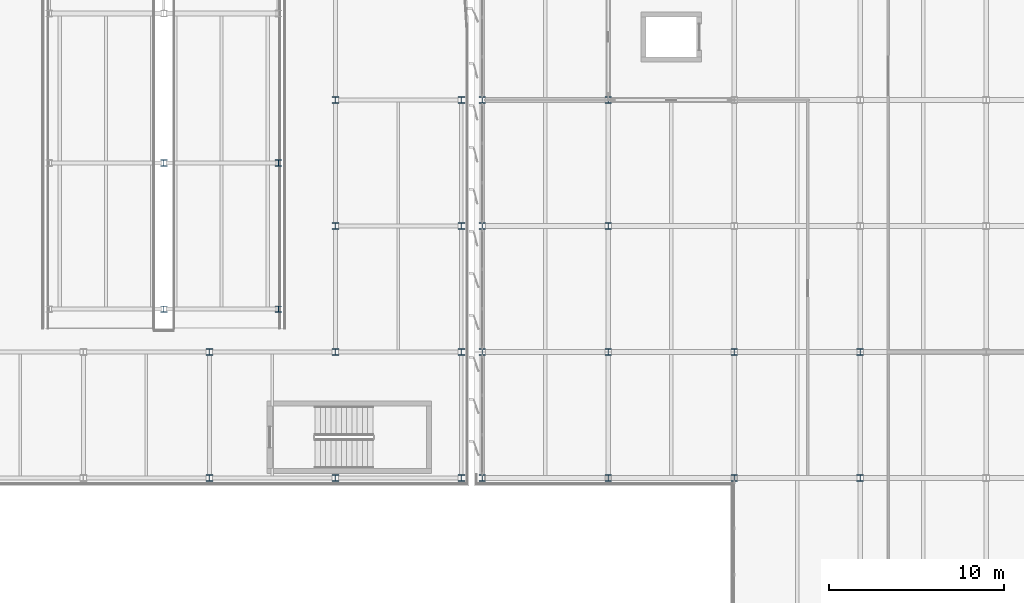
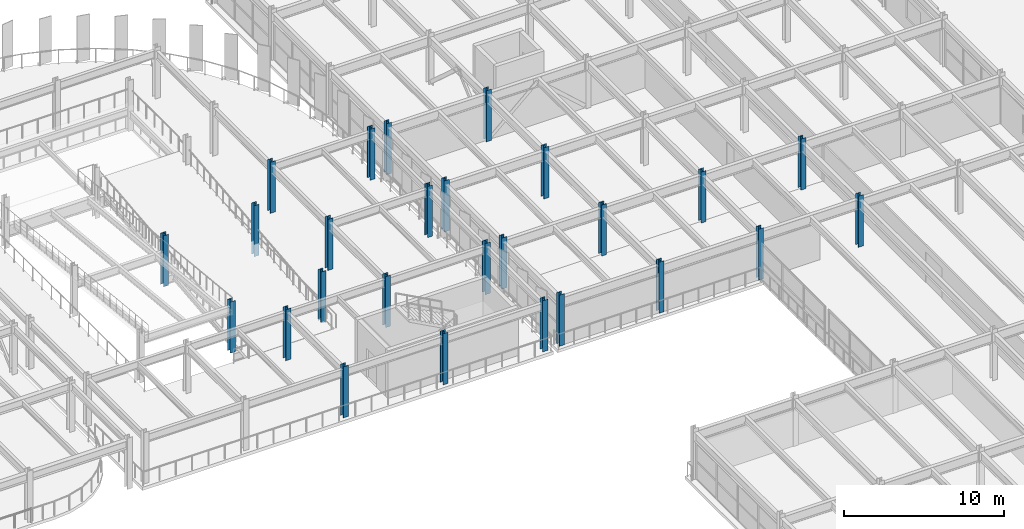
# One storey, part 12 of 80: 26 columns.
"""IFC4 building model written with IfcOpenShell, lengths in metres."""

import ifcopenshell
import ifcopenshell.guid

model = None  # the IFC model being written
_history = None  # IfcOwnerHistory: only IFC2X3 demands one
_inside = {}  # id of a spatial element -> (the spatial element, [elements in it])
_under = {}  # id of a project, library or spatial element -> (it, [spatial elements below it])
_declared = {}  # id of a project -> (the project, [libraries it declares])
_typed = {}  # id of a type object -> (the type object, [elements of that type])
_made_of = {}  # id of a material, layer set ... -> (it, [elements and type objects made of it])


def new_model(schema):
    """Start an empty IFC model of exactly this schema.

    Asked for "IFC4X3", IfcOpenShell would pick the latest addendum, in which some entities
    have other attributes; the version numbers below select the first issue.
    IFC2X3 requires an IfcOwnerHistory on every rooted entity: one is made here for all.
    """
    global model, _history
    if schema == "IFC4X3":
        model = ifcopenshell.file(schema_version=(4, 3, 0, 0))
    else:
        model = ifcopenshell.file(schema=schema)
    _inside.clear()
    _under.clear()
    _declared.clear()
    _typed.clear()
    _made_of.clear()
    _history = None
    if model.schema == "IFC2X3":
        org = make("IfcOrganization", Name="unknown")
        user = make(
            "IfcPersonAndOrganization",
            ThePerson=make("IfcPerson", FamilyName="unknown"),
            TheOrganization=org,
        )
        app = make(
            "IfcApplication",
            ApplicationDeveloper=org,
            Version="unknown",
            ApplicationFullName="unknown",
            ApplicationIdentifier="unknown",
        )
        _history = make(
            "IfcOwnerHistory",
            OwningUser=user,
            OwningApplication=app,
            ChangeAction="ADDED",
            CreationDate=0,
        )
    return model


def make(cls, **values):
    """One entity of the class cls with the attributes given. An attribute that is None is left unset."""
    return model.create_entity(
        cls, **{name: value for name, value in values.items() if value is not None}
    )


def rooted(cls, **values):
    """An entity with a GlobalId (a new one), such as an element, a storey or a relation."""
    return make(cls, GlobalId=ifcopenshell.guid.new(), OwnerHistory=_history, **values)


def si_unit(unit_type, name, prefix=None):
    """IfcSIUnit, for example si_unit("LENGTHUNIT", "METRE", prefix="MILLI")."""
    return make("IfcSIUnit", UnitType=unit_type, Prefix=prefix, Name=name)


def assignment(units):
    """IfcUnitAssignment: the units of a project."""
    return None if units is None else make("IfcUnitAssignment", Units=units)


def point(xyz):
    """IfcCartesianPoint."""
    return None if xyz is None else make("IfcCartesianPoint", Coordinates=xyz)


def direction(xyz):
    """IfcDirection."""
    return None if xyz is None else make("IfcDirection", DirectionRatios=xyz)


def frame(location, z_axis=None, x_axis=None):
    """IfcAxis2Placement3D, a coordinate frame: its origin and axes. An axis left out is left unset."""
    return make(
        "IfcAxis2Placement3D",
        Location=point(location),
        Axis=direction(z_axis),
        RefDirection=direction(x_axis),
    )


def frame_2d(location, x_axis=None):
    """IfcAxis2Placement2D, a coordinate frame in the plane: its origin and x axis."""
    return make(
        "IfcAxis2Placement2D", Location=point(location), RefDirection=direction(x_axis)
    )


def origin():
    """The frame at (0, 0, 0) with its axes left unset."""
    return frame((0.0, 0.0, 0.0))


def origin_2d():
    """The frame at (0, 0) in the plane with its x axis left unset."""
    return frame_2d((0.0, 0.0))


def place(relative_to, where):
    """IfcLocalPlacement: puts the frame where relative to a parent placement (None: the world)."""
    return make(
        "IfcLocalPlacement", PlacementRelTo=relative_to, RelativePlacement=where
    )


def context(
    kind, dimensions, precision=None, world=None, true_north=None, identifier=None
):
    """IfcGeometricRepresentationContext, for example the 3D "Model" context."""
    return make(
        "IfcGeometricRepresentationContext",
        ContextIdentifier=identifier,
        ContextType=kind,
        CoordinateSpaceDimension=dimensions,
        Precision=precision,
        WorldCoordinateSystem=world,
        TrueNorth=true_north,
    )


def subcontext(parent, identifier, kind, view, scale=None):
    """IfcGeometricRepresentationSubContext, for example "Body" below "Model"."""
    return make(
        "IfcGeometricRepresentationSubContext",
        ContextIdentifier=identifier,
        ContextType=kind,
        ParentContext=parent,
        TargetScale=scale,
        TargetView=view,
    )


def project(units=None, contexts=None):
    """IfcProject with its units and contexts."""
    return rooted(
        "IfcProject",
        Name="project",
        RepresentationContexts=contexts,
        UnitsInContext=assignment(units),
    )


def spatial(cls, under=None, at=None, **own):
    """A site, building, storey or space (cls), placed at a placement, below another one or the project."""
    s = rooted(cls, ObjectPlacement=at, **own)
    if under is not None:
        _under.setdefault(under.id(), (under, []))[1].append(s)
    return s


def profile(cls, at=None, kind="AREA", **sizes):
    """A parametric profile (cls). Its sizes go by their IFC names, for example OverallWidth=200.0."""
    return make(cls, ProfileType=kind, Position=at, **sizes)


def i_section(**sizes):
    """IfcIShapeProfileDef."""
    return profile("IfcIShapeProfileDef", **sizes)


def extrude(swept, where, along, depth):
    """IfcExtrudedAreaSolid: the profile swept, set in the frame where, extruded along a direction by depth."""
    return make(
        "IfcExtrudedAreaSolid",
        SweptArea=swept,
        Position=where,
        ExtrudedDirection=direction(along),
        Depth=depth,
    )


def shape(context_of_items, identifier, shape_type, items):
    """IfcShapeRepresentation: the items that make up one representation, for example the "Body"."""
    return make(
        "IfcShapeRepresentation",
        ContextOfItems=context_of_items,
        RepresentationIdentifier=identifier,
        RepresentationType=shape_type,
        Items=items,
    )


def material(Name=None, Category=None):
    """IfcMaterial."""
    return make("IfcMaterial", Name=Name, Category=Category)


def material_profile(
    of_material, cross_section, Name=None, Category=None, Priority=None
):
    """IfcMaterialProfile: a cross section and its material."""
    return make(
        "IfcMaterialProfile",
        Name=Name,
        Material=of_material,
        Profile=cross_section,
        Priority=Priority,
        Category=Category,
    )


def profile_set(profiles, Name=None, composite=None):
    """IfcMaterialProfileSet."""
    return make(
        "IfcMaterialProfileSet",
        Name=Name,
        MaterialProfiles=profiles,
        CompositeProfile=composite,
    )


def made_of(thing, what):
    """Note that an element or type object is made of a material, layer set ...; save() writes the relation."""
    if what is not None:
        _made_of.setdefault(what.id(), (what, []))[1].append(thing)
    return thing


def type_object(cls, material=None, **own):
    """A type object (cls), such as IfcWallType, which elements share."""
    return made_of(rooted(cls, **own), material)


def element(
    cls,
    number,
    at=None,
    inside=None,
    cuts=None,
    type_object=None,
    material=None,
    context=None,
    identifier="Body",
    shape_type=None,
    held_by="IfcProductDefinitionShape",
    body=None,
    shapes=None,
    **own,
):
    """One element of the class cls, such as IfcWall. Its Tag is "e" and its number.

    at: its placement. inside: the storey or other place that contains it. cuts: it is an
    opening in that element (IfcRelVoidsElement). A single representation is given by context,
    identifier, shape_type and body (its items); several are given by shapes. held_by: the class
    of the entity that holds the representations. save() writes the other relations.
    """
    e = rooted(cls, Tag="e%d" % number, ObjectPlacement=at, **own)
    if body is not None:
        shapes = [shape(context, identifier, shape_type, body)]
    if shapes is not None:
        e.Representation = make(held_by, Representations=shapes)
    if inside is not None:
        _inside.setdefault(inside.id(), (inside, []))[1].append(e)
    if cuts is not None:
        rooted(
            "IfcRelVoidsElement", RelatingBuildingElement=cuts, RelatedOpeningElement=e
        )
    if type_object is not None:
        _typed.setdefault(type_object.id(), (type_object, []))[1].append(e)
    return made_of(e, material)


def aggregate(whole, parts):
    """IfcRelAggregates: a whole, such as a stair, and the parts it consists of."""
    return rooted("IfcRelAggregates", RelatingObject=whole, RelatedObjects=parts)


def save(model, path):
    """Write the relations noted so far, then the file.

    IfcRelAggregates (storeys below a building ...), IfcRelContainedInSpatialStructure (elements
    in a storey), IfcRelDefinesByType, IfcRelAssociatesMaterial and IfcRelDeclares: one each for
    every whole, place, type object, material and project.
    """
    for whole, parts in _under.values():
        aggregate(whole, parts)
    for where, things in _inside.values():
        rooted(
            "IfcRelContainedInSpatialStructure",
            RelatedElements=things,
            RelatingStructure=where,
        )
    for kind, things in _typed.values():
        rooted("IfcRelDefinesByType", RelatedObjects=things, RelatingType=kind)
    for what, things in _made_of.values():
        rooted("IfcRelAssociatesMaterial", RelatedObjects=things, RelatingMaterial=what)
    for by, libraries in _declared.values():
        rooted("IfcRelDeclares", RelatingContext=by, RelatedDefinitions=libraries)
    model.write(path)


model = new_model("IFC4")

# Units and contexts
model_context = context("Model", 3, precision=1e-05, world=origin(), true_north=direction((0.0, 1.0)))
body_context = subcontext(model_context, "Body", "Model", "MODEL_VIEW")
ifc_project = project(units=[si_unit("LENGTHUNIT", "METRE"), si_unit("AREAUNIT", "SQUARE_METRE"), si_unit("VOLUMEUNIT", "CUBIC_METRE"), si_unit("PLANEANGLEUNIT", "RADIAN"), si_unit("MASSUNIT", "GRAM", prefix="KILO")], contexts=[model_context])

# Site, building, storey
site_placement = place(None, origin())
site = spatial("IfcSite", under=ifc_project, at=site_placement, CompositionType="ELEMENT")
building_placement = place(site_placement, origin())
building = spatial("IfcBuilding", under=site, at=building_placement, Name="Vaelcorin Mobility Hub", CompositionType="ELEMENT")
storey_placement = place(building_placement, frame((0.0, 0.0, 9.300048828125)))
storey = spatial("IfcBuildingStorey", under=building, at=storey_placement, Name="L02", CompositionType="ELEMENT", Elevation=9.300048828125)

# Columns
ifc_material = material(Name="Steel ASTM A992 Grade 50", Category="steel")
ifc_material_profile_1 = material_profile(ifc_material, i_section(OverallWidth=0.37109375, OverallDepth=0.363037109375, WebThickness=0.01318359375, FlangeThickness=0.021728515625, FilletRadius=0.014892578125, at=origin_2d()), Name="W14X109")
ifc_profile_set_1 = profile_set([ifc_material_profile_1], Name="Steel ASTM A992 Grade 50")
column_type_1 = type_object("IfcColumnType", Name="COL-W14X109", PredefinedType="COLUMN", material=ifc_profile_set_1)
for number, where, z_axis, x_axis, name in (
    (1, (138.0, 76.800048828125, 0.0), (0.0, 0.0, 1.0), (1.0, 0.0, 0.0), "Column V2E-G3x1 L02"),
    (2, (138.0, 84.0, 0.0), (0.0, 0.0, 1.0), (1.0, 0.0, 0.0), "Column V2E-G3x2 L02"),
    (3, (145.199951171875, 76.800048828125, 0.0), (0.0, 0.0, 1.0), (1.0, 0.0, 0.0), "Column V2E-G4x1 L02"),
    (4, (145.199951171875, 84.0, 0.0), (0.0, 0.0, 1.0), (1.0, 0.0, 0.0), "Column V2E-G4x2 L02"),
    (5, (145.199951171875, 91.199951171875, 0.0), (0.0, 0.0, 1.0), (1.0, 0.0, 0.0), "Column V2E-G4x3 L02"),
    (6, (145.199951171875, 98.39990234375, 0.0), (0.0, 0.0, 1.0), (1.0, 0.0, 0.0), "Column V2E-G4x4 L02"),
    (7, (152.39990234375, 76.800048828125, 0.0), (0.0, 0.0, 1.0), (1.0, 0.0, 0.0), "Column V2E-G5x1 L02"),
    (8, (152.39990234375, 84.0, 0.0), (0.0, 0.0, 1.0), (1.0, 0.0, 0.0), "Column V2E-G5x2 L02"),
    (9, (152.39990234375, 91.199951171875, 0.0), (0.0, 0.0, 1.0), (1.0, 0.0, 0.0), "Column V2E-G5x3 L02"),
    (10, (152.39990234375, 98.39990234375, 0.0), (0.0, 0.0, 1.0), (1.0, 0.0, 0.0), "Column V2E-G5x4 L02"),
):
    element("IfcColumn", number, at=place(storey_placement, frame(where, z_axis=z_axis, x_axis=x_axis)), inside=storey, type_object=column_type_1, Name=name, PredefinedType="COLUMN", context=body_context, shape_type="SweptSolid", body=[
        extrude(i_section(OverallWidth=0.37109375, OverallDepth=0.363037109375, WebThickness=0.01318359375, FlangeThickness=0.021728515625, FilletRadius=0.014892578125, at=origin_2d()), origin(), (0.0, 0.0, 1.0), 3.89990234375),
    ])
ifc_material_profile_2 = material_profile(ifc_material, i_section(OverallWidth=0.367919921875, OverallDepth=0.35595703125, WebThickness=0.01123046875, FlangeThickness=0.01806640625, FilletRadius=0.014892578125, at=origin_2d()), Name="W14X90")
ifc_profile_set_2 = profile_set([ifc_material_profile_2], Name="Steel ASTM A992 Grade 50")
column_type_2 = type_object("IfcColumnType", Name="COL-W14X90", PredefinedType="COLUMN", material=ifc_profile_set_2)
for number, where, z_axis, x_axis, name in (
    (11, (135.39990234375, 86.449951171875, 0.0), (0.0, 0.0, 1.0), (1.0, 0.0, 0.0), "Column V2E-RDRM-MS L02"),
    (12, (141.949951171875, 86.449951171875, 0.0), (0.0, 0.0, 1.0), (1.0, 0.0, 0.0), "Column V2E-RDRM-ES L02"),
    (13, (135.39990234375, 94.800048828125, 0.0), (0.0, 0.0, 1.0), (1.0, 0.0, 0.0), "Column V2E-RDRM-MC L02"),
    (14, (141.949951171875, 94.800048828125, 0.0), (0.0, 0.0, 1.0), (1.0, 0.0, 0.0), "Column V2E-RDRM-EC L02"),
    (15, (153.60009765625, 76.800048828125, 0.0), (0.0, 0.0, 1.0), (1.0, 0.0, 0.0), "Column V5-X01Y09 L02"),
    (16, (153.60009765625, 84.0, 0.0), (0.0, 0.0, 1.0), (1.0, 0.0, 0.0), "Column V5-X01Y10 L02"),
    (17, (153.60009765625, 91.199951171875, 0.0), (0.0, 0.0, 1.0), (1.0, 0.0, 0.0), "Column V5-X01Y11 L02"),
    (18, (153.60009765625, 98.39990234375, 0.0), (0.0, 0.0, 1.0), (1.0, 0.0, 0.0), "Column V5-X01Y12 L02"),
    (19, (160.800048828125, 76.800048828125, 0.0), (0.0, 0.0, 1.0), (1.0, 0.0, 0.0), "Column V5-X02Y09 L02"),
    (20, (160.800048828125, 84.0, 0.0), (0.0, 0.0, 1.0), (1.0, 0.0, 0.0), "Column V5-X02Y10 L02"),
    (21, (160.800048828125, 91.199951171875, 0.0), (0.0, 0.0, 1.0), (1.0, 0.0, 0.0), "Column V5-X02Y11 L02"),
    (22, (160.800048828125, 98.39990234375, 0.0), (0.0, 0.0, 1.0), (1.0, 0.0, 0.0), "Column V5-X02Y12 L02"),
    (23, (168.0, 76.800048828125, 0.0), (0.0, 0.0, 1.0), (1.0, 0.0, 0.0), "Column V5-X03Y09 L02"),
    (24, (168.0, 84.0, 0.0), (0.0, 0.0, 1.0), (1.0, 0.0, 0.0), "Column V5-X03Y10 L02"),
    (25, (175.199951171875, 76.800048828125, 0.0), (0.0, 0.0, 1.0), (1.0, 0.0, 0.0), "Column V5-X04Y09 L02"),
    (26, (175.199951171875, 84.0, 0.0), (0.0, 0.0, 1.0), (1.0, 0.0, 0.0), "Column V5-X04Y10 L02"),
):
    element("IfcColumn", number, at=place(storey_placement, frame(where, z_axis=z_axis, x_axis=x_axis)), inside=storey, type_object=column_type_2, Name=name, PredefinedType="COLUMN", context=body_context, shape_type="SweptSolid", body=[
        extrude(i_section(OverallWidth=0.367919921875, OverallDepth=0.35595703125, WebThickness=0.01123046875, FlangeThickness=0.01806640625, FilletRadius=0.014892578125, at=origin_2d()), origin(), (0.0, 0.0, 1.0), 3.89990234375),
    ])

save(model, "model.ifc")
